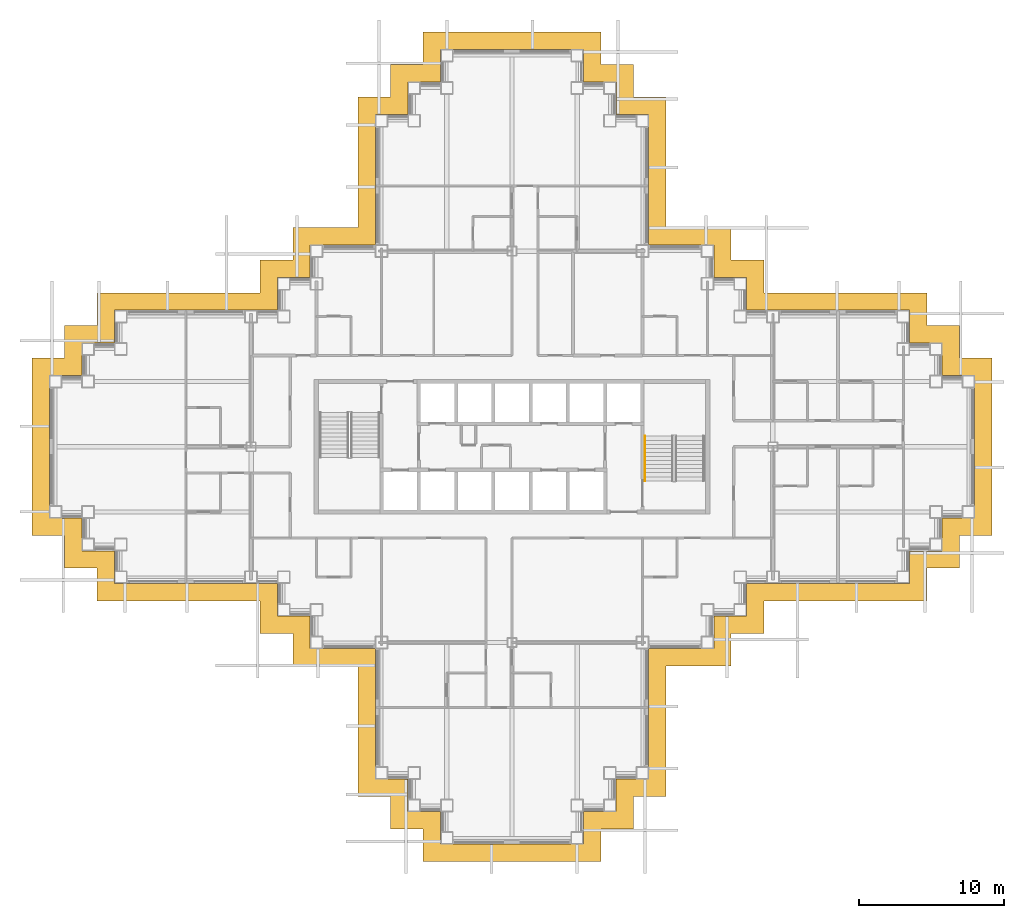
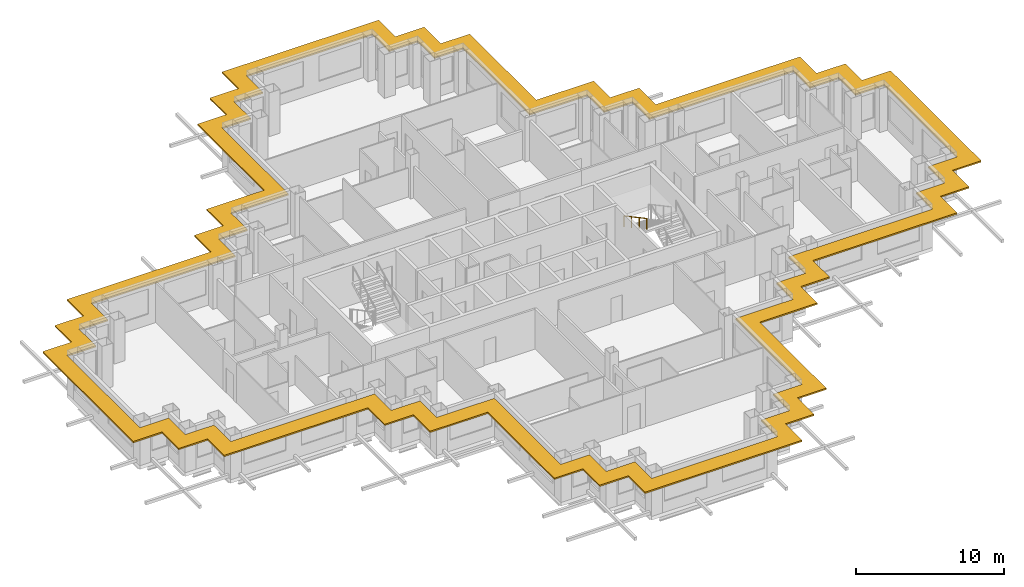
# One storey, part 16 of 17: 1 railing, 1 shading device.
"""IFC4 building model written with IfcOpenShell, lengths in metres."""

from ifc_helpers import new_model, si_unit, direction, frame, origin, origin_2d, place, context, subcontext, project, spatial, polyline, circle, outline, extrude, material, layer, layer_set, type_object, element, save


model = new_model("IFC4")

# Units and contexts
model_context = context("Model", 3, precision=1e-05, world=origin(), true_north=direction((0.0, 1.0)))
body_context = subcontext(model_context, "Body", "Model", "MODEL_VIEW")
ifc_project = project(units=[si_unit("LENGTHUNIT", "METRE"), si_unit("AREAUNIT", "SQUARE_METRE"), si_unit("VOLUMEUNIT", "CUBIC_METRE"), si_unit("PLANEANGLEUNIT", "RADIAN"), si_unit("MASSUNIT", "GRAM", prefix="KILO")], contexts=[model_context])

# Site, building, storey
site_placement = place(None, origin())
site = spatial("IfcSite", under=ifc_project, at=site_placement, CompositionType="ELEMENT")
building_placement = place(site_placement, origin())
building = spatial("IfcBuilding", under=site, at=building_placement, Name="Caravel Reach Hotel and Residences", CompositionType="ELEMENT")
storey_placement = place(building_placement, frame((0.0, 0.0, 126.0)))
storey = spatial("IfcBuildingStorey", under=building, at=storey_placement, Name="L31", CompositionType="ELEMENT", Elevation=126.0)

# Railing
ifc_material_1 = material(Name="Stainless steel handrail", Category="steel")
railing_type = type_object("IfcRailingType", Name="Handrail 900", PredefinedType="HANDRAIL", material=ifc_material_1)
railing_placement = place(storey_placement, frame((40.675048828125, 27.72998046875, 1.949951171875)))
element("IfcRailing", 1, at=railing_placement, inside=storey, type_object=railing_type, Name="L31 ST-B stair handrail 2", PredefinedType="HANDRAIL", context=body_context, shape_type="SweptSolid", body=[
    extrude(circle(Radius=0.02392578125, at=origin_2d()), frame((0.0, 0.0, 0.8759765625), z_axis=(0.0, -0.881467505477, 0.472244678941), x_axis=(1.0, 0.0, 0.0)), (0.0, 0.0, 1.0), 3.494140625),
    extrude(circle(Radius=0.02099609375, at=origin_2d()), origin(), (0.0, 0.0, 1.0), 0.851806640625),
    extrude(circle(Radius=0.02099609375, at=origin_2d()), frame((0.0, -1.026611328125, 0.550048828125)), (0.0, 0.0, 1.0), 0.851806640625),
    extrude(circle(Radius=0.02099609375, at=origin_2d()), frame((0.0, -2.053466796875, 1.10009765625)), (0.0, 0.0, 1.0), 0.851806640625),
    extrude(circle(Radius=0.02099609375, at=origin_2d()), frame((0.0, -3.080078125, 1.650146484375)), (0.0, 0.0, 1.0), 0.851806640625),
])

# Shading device
ifc_material_2 = material(Name="Black powder-coated aluminium", Category="aluminium")
ifc_layer = layer(ifc_material_2, 0.1201171875)
ifc_layer_set = layer_set([ifc_layer], Name="SS1 Sunshade band 1200")
shading_device_type = type_object("IfcShadingDeviceType", Name="SS1 Sunshade band 1200", PredefinedType="USERDEFINED", material=ifc_layer_set)
shading_device_placement = place(storey_placement, frame((0.0, 0.0, 3.0400390625)))
element("IfcShadingDevice", 2, at=shading_device_placement, inside=storey, type_object=shading_device_type, Name="Sunshade L31 1", ObjectType="SUNSHADE", PredefinedType="USERDEFINED", context=body_context, shape_type="SweptSolid", body=[
    extrude(outline(polyline([(20.875, 11.875), (20.875, 2.875), (23.125, 2.875), (23.125, 0.625), (25.375, 0.625), (25.375, -1.625), (37.625, -1.625), (37.625, 0.625), (39.875, 0.625), (39.875, 2.875), (42.125, 2.875), (42.125, 11.875), (46.625, 11.875), (46.625, 14.125), (48.875, 14.125), (48.875, 16.375), (60.125, 16.375), (60.125, 18.625), (62.375, 18.625), (62.375, 20.875), (64.625, 20.875), (64.625, 33.125), (62.375, 33.125), (62.375, 35.375), (60.125, 35.375), (60.125, 37.625), (48.875, 37.625), (48.875, 39.875), (46.625, 39.875), (46.625, 42.125), (42.125, 42.125), (42.125, 51.125), (39.875, 51.125), (39.875, 53.375), (37.625, 53.375), (37.625, 55.625), (25.375, 55.625), (25.375, 53.375), (23.125, 53.375), (23.125, 51.125), (20.875, 51.125), (20.875, 42.125), (16.375, 42.125), (16.375, 39.875), (14.125, 39.875), (14.125, 37.625), (2.875, 37.625), (2.875, 35.375), (0.625, 35.375), (0.625, 33.125), (-1.625, 33.125), (-1.625, 20.875), (0.625, 20.875), (0.625, 18.625), (2.875, 18.625), (2.875, 16.375), (14.125, 16.375), (14.125, 14.125), (16.375, 14.125), (16.375, 11.875), (20.875, 11.875)]), holes=[polyline([(24.324951171875, 4.074951171875), (22.074951171875, 4.074951171875), (22.074951171875, 13.074951171875), (17.574951171875, 13.074951171875), (17.574951171875, 15.324951171875), (15.324951171875, 15.324951171875), (15.324951171875, 17.574951171875), (4.074951171875, 17.574951171875), (4.074951171875, 19.824951171875), (1.824951171875, 19.824951171875), (1.824951171875, 22.074951171875), (-0.425048828125, 22.074951171875), (-0.425048828125, 31.925048828125), (1.824951171875, 31.925048828125), (1.824951171875, 34.175048828125), (4.074951171875, 34.175048828125), (4.074951171875, 36.425048828125), (15.324951171875, 36.425048828125), (15.324951171875, 38.675048828125), (17.574951171875, 38.675048828125), (17.574951171875, 40.925048828125), (22.074951171875, 40.925048828125), (22.074951171875, 49.925048828125), (24.324951171875, 49.925048828125), (24.324951171875, 52.175048828125), (26.574951171875, 52.175048828125), (26.574951171875, 54.425048828125), (36.425048828125, 54.425048828125), (36.425048828125, 52.175048828125), (38.675048828125, 52.175048828125), (38.675048828125, 49.925048828125), (40.925048828125, 49.925048828125), (40.925048828125, 40.925048828125), (45.425048828125, 40.925048828125), (45.425048828125, 38.675048828125), (47.675048828125, 38.675048828125), (47.675048828125, 36.425048828125), (58.925048828125, 36.425048828125), (58.925048828125, 34.175048828125), (61.175048828125, 34.175048828125), (61.175048828125, 31.925048828125), (63.425048828125, 31.925048828125), (63.425048828125, 22.074951171875), (61.175048828125, 22.074951171875), (61.175048828125, 19.824951171875), (58.925048828125, 19.824951171875), (58.925048828125, 17.574951171875), (47.675048828125, 17.574951171875), (47.675048828125, 15.324951171875), (45.425048828125, 15.324951171875), (45.425048828125, 13.074951171875), (40.925048828125, 13.074951171875), (40.925048828125, 4.074951171875), (38.675048828125, 4.074951171875), (38.675048828125, 1.824951171875), (36.425048828125, 1.824951171875), (36.425048828125, -0.425048828125), (26.574951171875, -0.425048828125), (26.574951171875, 1.824951171875), (24.324951171875, 1.824951171875), (24.324951171875, 4.074951171875)])]), origin(), (0.0, 0.0, 1.0), 0.119873046875),
])

save(model, "model.ifc")
